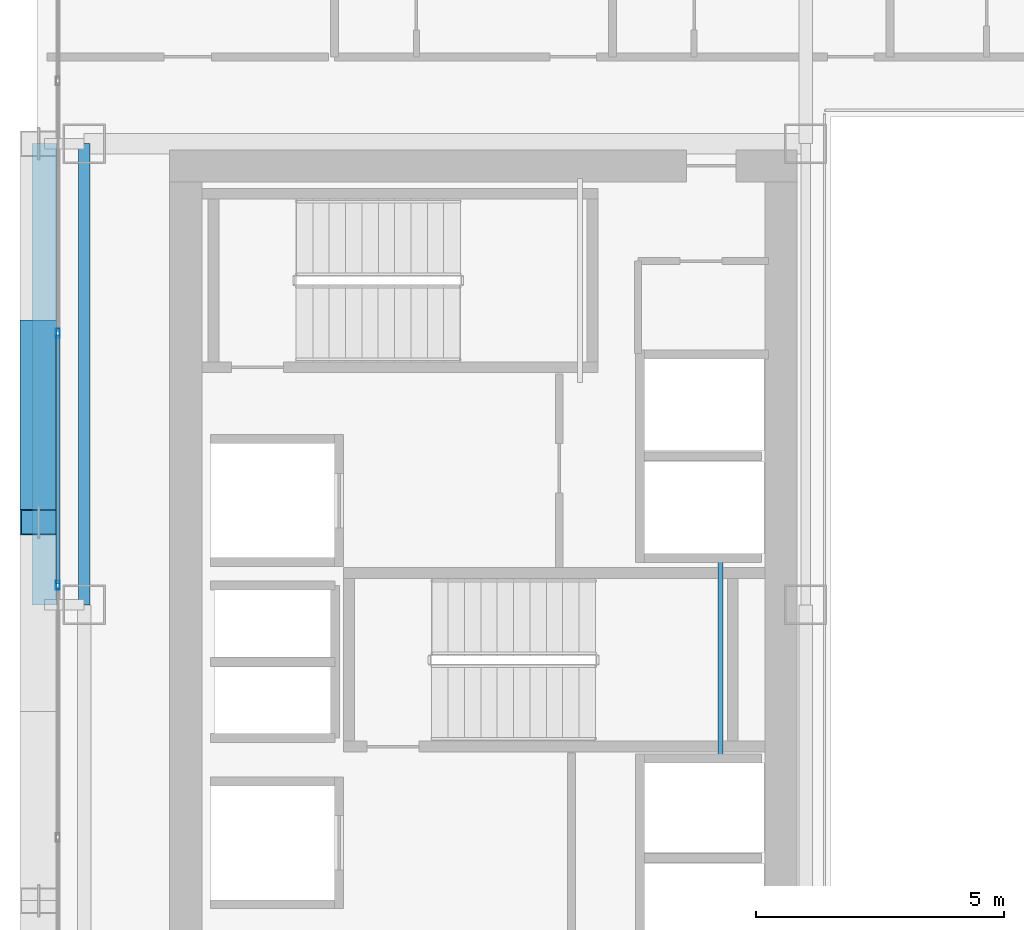
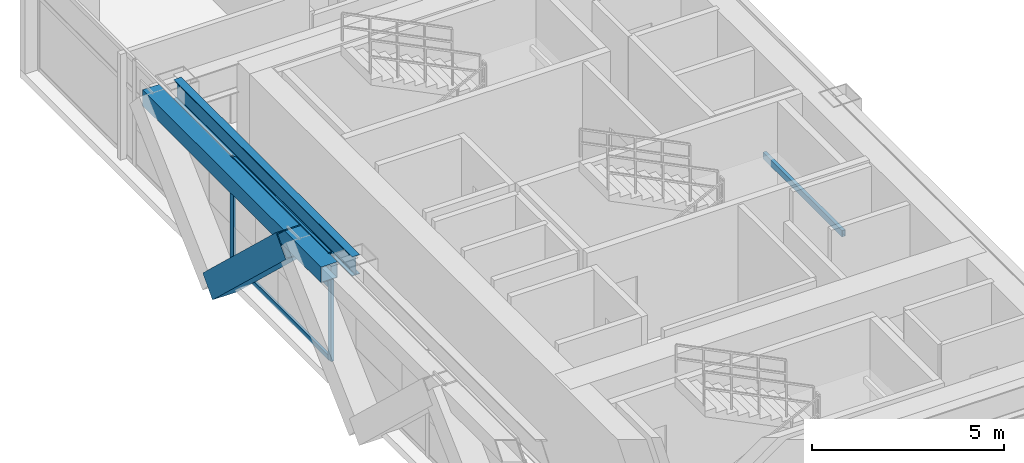
# One storey, part 8 of 35: 6 members, 3 beams, 1 element without a shape of its own.
"""IFC4 building model written with IfcOpenShell, lengths in metres."""

from ifc_helpers import new_model, si_unit, direction, frame, origin, origin_2d, place, context, subcontext, project, spatial, hollow_rectangle, i_section, extrude, source, transform, mapped, material, layer, layer_set, material_profile, profile_set, type_object, element, aggregate, save


model = new_model("IFC4")

# Units and contexts
model_context = context("Model", 3, precision=1e-05, world=origin(), true_north=direction((0.0, 1.0)))
body_context = subcontext(model_context, "Body", "Model", "MODEL_VIEW")
ifc_project = project(units=[si_unit("LENGTHUNIT", "METRE"), si_unit("AREAUNIT", "SQUARE_METRE"), si_unit("VOLUMEUNIT", "CUBIC_METRE"), si_unit("PLANEANGLEUNIT", "RADIAN"), si_unit("MASSUNIT", "GRAM", prefix="KILO")], contexts=[model_context])

# Site, building, storey
site_placement = place(None, origin())
site = spatial("IfcSite", under=ifc_project, at=site_placement, CompositionType="ELEMENT")
building_placement = place(site_placement, origin())
building = spatial("IfcBuilding", under=site, at=building_placement, Name="Ocotamira Hotel", CompositionType="ELEMENT")
storey_placement = place(building_placement, frame((0.0, 0.0, 144.0)))
storey = spatial("IfcBuildingStorey", under=building, at=storey_placement, Name="L36", CompositionType="ELEMENT", Elevation=144.0)

# Beams
ifc_material_1 = material(Name="Steel ASTM A500 Grade C", Category="steel")
ifc_material_profile_1 = material_profile(ifc_material_1, hollow_rectangle(XDim=0.10009765625, YDim=0.199951171875, WallThickness=0.008056640625, at=origin_2d()), Name="HSS200X100X8")
ifc_profile_set_1 = profile_set([ifc_material_profile_1], Name="Steel ASTM A500 Grade C")
beam_type_1 = type_object("IfcBeamType", Name="BM-STLDG-HSS200", PredefinedType="BEAM", material=ifc_profile_set_1)
shared_shape_1 = source(origin(), body_context, "Body", "SweptSolid", [
    extrude(hollow_rectangle(XDim=0.10009765625, YDim=0.199951171875, WallThickness=0.008056640625, at=origin_2d()), origin(), (0.0, 0.0, 1.0), 4.1201171875),
])
beam_1_placement = place(storey_placement, frame((21.780029296875, 24.97998046875, 1.5), z_axis=(0.0, 1.0, 0.0), x_axis=(-1.0, 0.0, 0.0)))
element("IfcBeam", 1, at=beam_1_placement, inside=storey, type_object=beam_type_1, Name="L36 Stair ST-3 Landing Bearer 1", PredefinedType="BEAM", context=body_context, shape_type="MappedRepresentation", body=[
    mapped(shared_shape_1, transform((0.0, 0.0, 0.0), scale=1.0)),
])
ifc_material_2 = material(Name="Steel ASTM A992 Grade 50", Category="steel")
ifc_material_profile_2 = material_profile(ifc_material_2, i_section(OverallWidth=0.22998046875, OverallDepth=0.616943359375, WebThickness=0.01318359375, FlangeThickness=0.022216796875, FilletRadius=0.012939453125, at=origin_2d()), Name="W24X94")
ifc_profile_set_2 = profile_set([ifc_material_profile_2], Name="Steel ASTM A992 Grade 50")
beam_type_2 = type_object("IfcBeamType", Name="BM-PRIM-W24X94", PredefinedType="BEAM", material=ifc_profile_set_2)
shared_shape_2 = source(origin(), body_context, "Body", "SweptSolid", [
    extrude(i_section(OverallWidth=0.22998046875, OverallDepth=0.616943359375, WebThickness=0.01318359375, FlangeThickness=0.022216796875, FilletRadius=0.012939453125, at=origin_2d()), origin(), (0.0, 0.0, 1.0), 9.300048828125),
])
beam_2_placement = place(storey_placement, frame((8.949951171875, 28.14990234375, 3.051513671875), z_axis=(0.0, 1.0, 0.0), x_axis=(-1.0, 0.0, 0.0)))
element("IfcBeam", 2, at=beam_2_placement, inside=storey, type_object=beam_type_2, Name="L36 Beam X8.95 Y28.15-37.45", PredefinedType="BEAM", context=body_context, shape_type="MappedRepresentation", body=[
    mapped(shared_shape_2, transform((0.0, 0.0, 0.0), scale=1.0)),
])
ifc_material_profile_3 = material_profile(ifc_material_1, hollow_rectangle(XDim=0.5, YDim=0.5, WallThickness=0.02001953125, at=origin_2d()), Name="HSS500X500X20")
ifc_profile_set_3 = profile_set([ifc_material_profile_3], Name="Steel ASTM A500 Grade C")
beam_type_3 = type_object("IfcBeamType", Name="BM-SPAN-HSS500", PredefinedType="USERDEFINED", material=ifc_profile_set_3)
shared_shape_3 = source(origin(), body_context, "Body", "SweptSolid", [
    extrude(hollow_rectangle(XDim=0.5, YDim=0.5, WallThickness=0.02001953125, at=origin_2d()), origin(), (0.0, 0.0, 1.0), 9.300048828125),
])
beam_3_placement = place(storey_placement, frame((8.14990234375, 28.14990234375, 3.110107421875), z_axis=(0.0, 1.0, 0.0), x_axis=(-1.0, 0.0, 0.0)))
element("IfcBeam", 3, at=beam_3_placement, inside=storey, type_object=beam_type_3, Name="L36 Edge Spandrel W Y28.15-37.45", ObjectType="SPANDREL", PredefinedType="USERDEFINED", context=body_context, shape_type="MappedRepresentation", body=[
    mapped(shared_shape_3, transform((0.0, 0.0, 0.0), scale=1.0)),
])

# Member
ifc_material_3 = material(Name="Pale-metal coated steel ASTM A913 Grade 65", Category="steel")
ifc_material_profile_4 = material_profile(ifc_material_3, hollow_rectangle(XDim=0.75, YDim=0.75, WallThickness=0.028076171875, at=origin_2d()), Name="BOX750X750X28")
ifc_profile_set_4 = profile_set([ifc_material_profile_4], Name="Pale-metal coated steel ASTM A913 Grade 65")
member_type_1 = type_object("IfcMemberType", Name="MEM-EXO-BOX750", PredefinedType="BRACE", material=ifc_profile_set_4)
shared_shape_4 = source(origin(), body_context, "Body", "SweptSolid", [
    extrude(hollow_rectangle(XDim=0.75, YDim=0.75, WallThickness=0.028076171875, at=origin_2d()), origin(), (0.0, 0.0, 1.0), 5.24658203125),
])
member_1_placement = place(storey_placement, frame((8.030029296875, 33.63330078125, -0.489990234375), z_axis=(0.0, -0.727442733726, 0.686168397078), x_axis=(1.0, 0.0, 0.0)))
element("IfcMember", 4, at=member_1_placement, inside=storey, type_object=member_type_1, Name="L36 Exoskeleton Diagrid W2.1", PredefinedType="BRACE", context=body_context, shape_type="MappedRepresentation", body=[
    mapped(shared_shape_4, transform((0.0, 0.0, 0.0), scale=1.0)),
])

# Curtain wall, members
ifc_material_4 = material(Name="Anodised pale-metal aluminium and solar glass", Category="aluminium")
ifc_layer = layer(ifc_material_4, 0.179931640625)
ifc_layer_set = layer_set([ifc_layer], Name="Anodised pale-metal aluminium and solar glass")
curtain_wall_type = type_object("IfcCurtainWallType", Name="CW-SYS3-Z2", PredefinedType="NOTDEFINED", material=ifc_layer_set)
curtain_wall_placement = place(storey_placement, origin())
curtain_wall = element("IfcCurtainWall", 5, at=curtain_wall_placement, inside=storey, type_object=curtain_wall_type, Name="L36 Curtain Wall CW-3 CW-L36-W", PredefinedType="NOTDEFINED")
ifc_material_5 = material(Name="Anodised pale-metal aluminium 6063-T6", Category="aluminium")
ifc_material_profile_5 = material_profile(ifc_material_5, hollow_rectangle(XDim=0.074951171875, YDim=0.14990234375, WallThickness=0.006103515625, at=origin_2d()), Name="HSS150X75X6")
ifc_profile_set_5 = profile_set([ifc_material_profile_5], Name="Anodised pale-metal aluminium 6063-T6")
member_type_2 = type_object("IfcMemberType", Name="CWT-150X75", PredefinedType="USERDEFINED", material=ifc_profile_set_5)
shared_shape_5 = source(origin(), body_context, "Body", "SweptSolid", [
    extrude(hollow_rectangle(XDim=0.074951171875, YDim=0.14990234375, WallThickness=0.006103515625, at=origin_2d()), origin(), (0.0, 0.0, 1.0), 5.005859375),
])
member_2_placement = place(storey_placement, frame((8.419921875, 28.582763671875, 0.03759765625), z_axis=(0.0, 1.0, 0.0), x_axis=(-1.0, 0.0, 0.0)))
member_2 = element("IfcMember", 6, at=member_2_placement, type_object=member_type_2, Name="CW-3 transom 5.1", ObjectType="TRANSOM", PredefinedType="USERDEFINED", context=body_context, shape_type="MappedRepresentation", body=[
    mapped(shared_shape_5, transform((0.0, 0.0, 0.0), scale=1.0)),
])
member_3_placement = place(storey_placement, frame((8.419921875, 28.582763671875, 2.35009765625), z_axis=(0.0, 1.0, 0.0), x_axis=(-1.0, 0.0, 0.0)))
member_3 = element("IfcMember", 7, at=member_3_placement, type_object=member_type_2, Name="CW-3 transom 5.2", ObjectType="TRANSOM", PredefinedType="USERDEFINED", context=body_context, shape_type="MappedRepresentation", body=[
    mapped(shared_shape_5, transform((0.0, 0.0, 0.0), scale=1.0)),
])
member_4_placement = place(storey_placement, frame((8.419921875, 28.582763671875, 3.322509765625), z_axis=(0.0, 1.0, 0.0), x_axis=(-1.0, 0.0, 0.0)))
member_4 = element("IfcMember", 8, at=member_4_placement, type_object=member_type_2, Name="CW-3 transom 5.3", ObjectType="TRANSOM", PredefinedType="USERDEFINED", context=body_context, shape_type="MappedRepresentation", body=[
    mapped(shared_shape_5, transform((0.0, 0.0, 0.0), scale=1.0)),
])
ifc_material_profile_6 = material_profile(ifc_material_5, hollow_rectangle(XDim=0.080078125, YDim=0.179931640625, WallThickness=0.006103515625, at=origin_2d()), Name="HSS180X80X6")
ifc_profile_set_6 = profile_set([ifc_material_profile_6], Name="Anodised pale-metal aluminium 6063-T6")
member_type_3 = type_object("IfcMemberType", Name="CWM-180X75", PredefinedType="MULLION", material=ifc_profile_set_6)
shared_shape_6 = source(origin(), body_context, "Body", "SweptSolid", [
    extrude(hollow_rectangle(XDim=0.080078125, YDim=0.179931640625, WallThickness=0.006103515625, at=origin_2d()), origin(), (0.0, 0.0, 1.0), 3.360107421875),
])
member_5_placement = place(storey_placement, frame((8.419921875, 28.54296875, 0.0), z_axis=(0.0, 0.0, 1.0), x_axis=(-1.0, 0.0, 0.0)))
member_5 = element("IfcMember", 9, at=member_5_placement, type_object=member_type_3, Name="CW-3 mullion 5", PredefinedType="MULLION", context=body_context, shape_type="MappedRepresentation", body=[
    mapped(shared_shape_6, transform((0.0, 0.0, 0.0), scale=1.0)),
])
member_6_placement = place(storey_placement, frame((8.419921875, 33.628662109375, 0.0), z_axis=(0.0, 0.0, 1.0), x_axis=(-1.0, 0.0, 0.0)))
member_6 = element("IfcMember", 10, at=member_6_placement, type_object=member_type_3, Name="CW-3 mullion 6", PredefinedType="MULLION", context=body_context, shape_type="MappedRepresentation", body=[
    mapped(shared_shape_6, transform((0.0, 0.0, 0.0), scale=1.0)),
])
aggregate(curtain_wall, [member_5, member_6, member_2, member_3, member_4])

save(model, "model.ifc")
